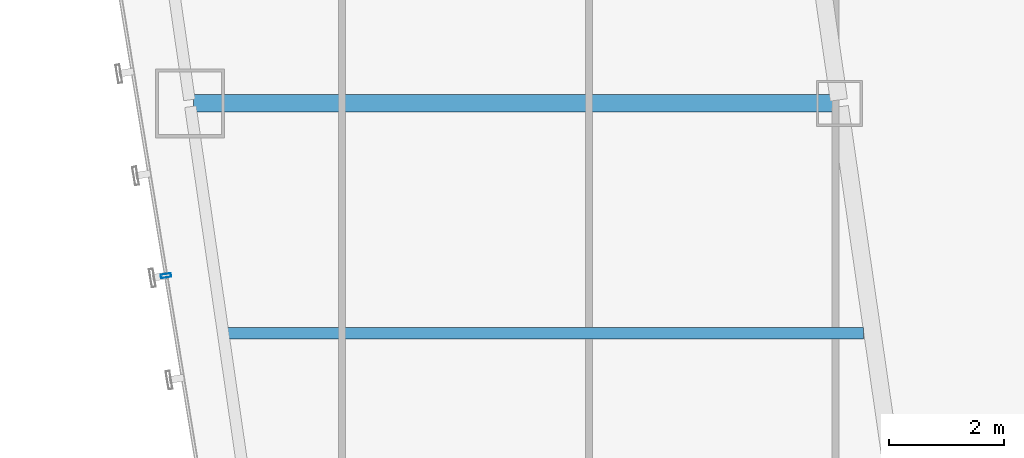
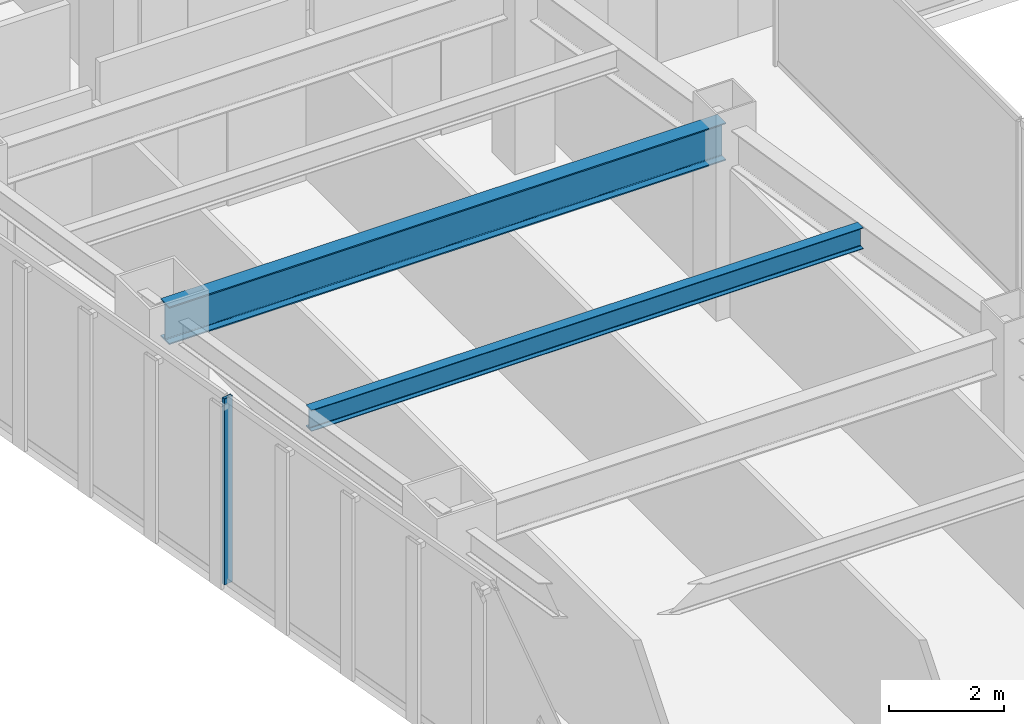
# One storey, part 11 of 47: 2 beams, 1 member, 1 element without a shape of its own.
"""IFC4 building model written with IfcOpenShell, lengths in metres."""

from ifc_helpers import new_model, si_unit, direction, frame, origin, origin_2d, place, context, subcontext, project, spatial, hollow_rectangle, i_section, extrude, material, material_profile, profile_set, type_object, element, aggregate, save


model = new_model("IFC4")

# Units and contexts
model_context = context("Model", 3, precision=1e-05, world=origin(), true_north=direction((0.0, 1.0)))
body_context = subcontext(model_context, "Body", "Model", "MODEL_VIEW")
ifc_project = project(units=[si_unit("LENGTHUNIT", "METRE"), si_unit("AREAUNIT", "SQUARE_METRE"), si_unit("VOLUMEUNIT", "CUBIC_METRE"), si_unit("PLANEANGLEUNIT", "RADIAN"), si_unit("MASSUNIT", "GRAM", prefix="KILO")], contexts=[model_context])

# Site, building, storey
site_placement = place(None, origin())
site = spatial("IfcSite", under=ifc_project, at=site_placement, CompositionType="ELEMENT")
building_placement = place(site_placement, origin())
building = spatial("IfcBuilding", under=site, at=building_placement, Name="Saevonmaru Cultural Tower", CompositionType="ELEMENT")
storey_placement = place(building_placement, frame((0.0, 0.0, 82.39990234375)))
storey = spatial("IfcBuildingStorey", under=building, at=storey_placement, Name="L17", CompositionType="ELEMENT", Elevation=82.39990234375)

# Beams
ifc_material_1 = material(Name="Steel SM420", Category="steel")
ifc_material_profile_1 = material_profile(ifc_material_1, i_section(OverallWidth=0.300048828125, OverallDepth=0.800048828125, WebThickness=0.013916015625, FlangeThickness=0.02587890625, FilletRadius=0.028076171875, at=origin_2d()), Name="H-800x300x14x26")
ifc_profile_set_1 = profile_set([ifc_material_profile_1], Name="Steel SM420")
beam_type_1 = type_object("IfcBeamType", Name="BM-G-H800", PredefinedType="BEAM", material=ifc_profile_set_1)
beam_1_placement = place(storey_placement, frame((8.376953125, 32.0, 3.550048828125), z_axis=(1.0, 0.0, 0.0), x_axis=(0.0, 1.0, 0.0)))
element("IfcBeam", 1, at=beam_1_placement, inside=storey, type_object=beam_type_1, Name="L17 West Wing Transverse Girder 5", PredefinedType="BEAM", context=body_context, shape_type="SweptSolid", body=[
    extrude(i_section(OverallWidth=0.300048828125, OverallDepth=0.800048828125, WebThickness=0.013916015625, FlangeThickness=0.02587890625, FilletRadius=0.028076171875, at=origin_2d()), origin(), (0.0, 0.0, 1.0), 11.179931640625),
])
ifc_material_2 = material(Name="Steel SM355", Category="steel")
ifc_material_profile_2 = material_profile(ifc_material_2, i_section(OverallWidth=0.199951171875, OverallDepth=0.449951171875, WebThickness=0.009033203125, FlangeThickness=0.013916015625, FilletRadius=0.01806640625, at=origin_2d()), Name="H-450x200x9x14")
ifc_profile_set_2 = profile_set([ifc_material_profile_2], Name="Steel SM355")
beam_type_2 = type_object("IfcBeamType", Name="BM-J-H450", PredefinedType="JOIST", material=ifc_profile_set_2)
beam_2_placement = place(storey_placement, frame((8.95458984375, 28.0, 3.72509765625), z_axis=(1.0, 0.0, 0.0), x_axis=(0.0, 1.0, 0.0)))
element("IfcBeam", 2, at=beam_2_placement, inside=storey, type_object=beam_type_2, Name="L17 West Wing Floor Joist 4", PredefinedType="JOIST", context=body_context, shape_type="SweptSolid", body=[
    extrude(i_section(OverallWidth=0.199951171875, OverallDepth=0.449951171875, WebThickness=0.009033203125, FlangeThickness=0.013916015625, FilletRadius=0.01806640625, at=origin_2d()), origin(), (0.0, 0.0, 1.0), 11.08203125),
])

# Curtain wall, member
ifc_material_3 = material(Name="Satin Bronze Anodised Aluminium", Category="aluminium")
curtain_wall_type = type_object("IfcCurtainWallType", Name="CW-TYP-A", PredefinedType="NOTDEFINED", material=ifc_material_3)
curtain_wall_placement = place(storey_placement, origin())
curtain_wall = element("IfcCurtainWall", 3, at=curtain_wall_placement, inside=storey, type_object=curtain_wall_type, Name="L17 Unitised Curtain Wall E12", PredefinedType="NOTDEFINED")
ifc_material_profile_3 = material_profile(ifc_material_3, hollow_rectangle(XDim=0.06494140625, YDim=0.179931640625, WallThickness=0.00390625, at=origin_2d()), Name="ALU-MULL-180x65x4")
ifc_profile_set_3 = profile_set([ifc_material_profile_3], Name="Satin Bronze Anodised Aluminium")
member_type = type_object("IfcMemberType", Name="ML-CW-180x65", PredefinedType="MULLION", material=ifc_profile_set_3)
member_placement = place(storey_placement, frame((7.89990234375, 29.0, 0.0), z_axis=(0.0, 0.0, 1.0), x_axis=(0.161708868641, -0.986838508472, 0.0)))
member = element("IfcMember", 4, at=member_placement, type_object=member_type, Name="CW-TW-L17-E12 mullion 3", PredefinedType="MULLION", context=body_context, shape_type="SweptSolid", body=[
    extrude(hollow_rectangle(XDim=0.06494140625, YDim=0.179931640625, WallThickness=0.00390625, at=origin_2d()), origin(), (0.0, 0.0, 1.0), 3.9501953125),
])
aggregate(curtain_wall, [member])

save(model, "model.ifc")
